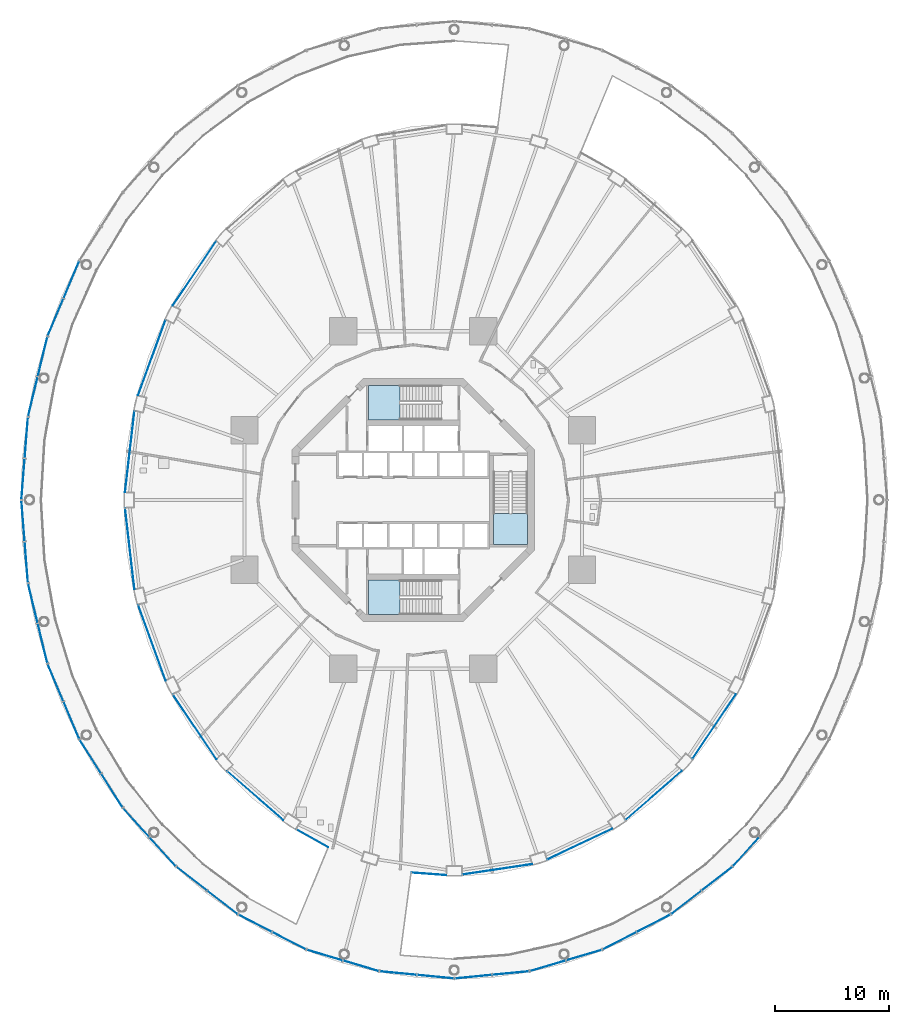
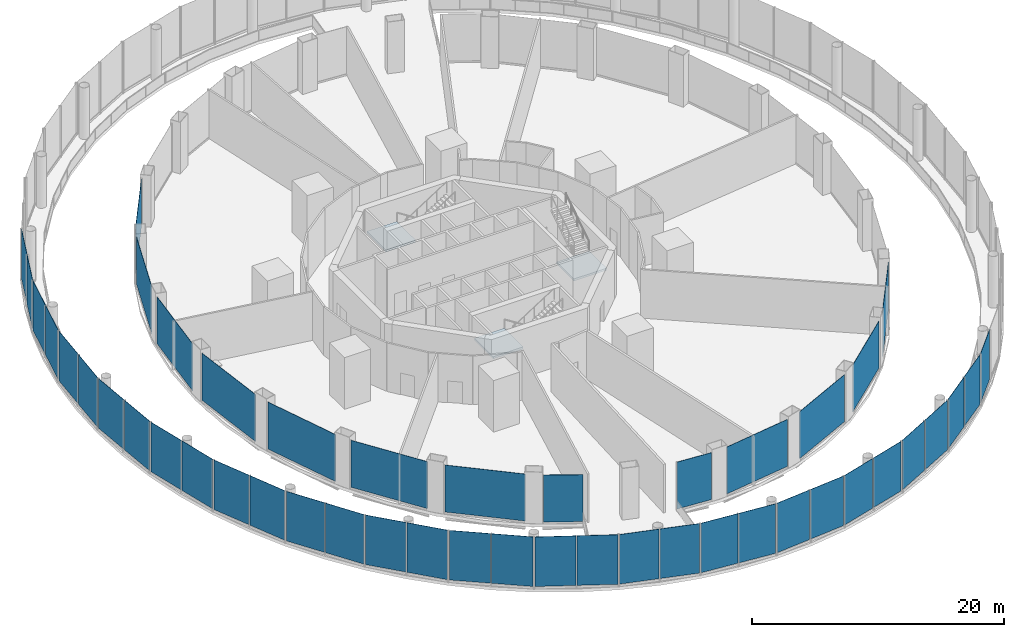
# One storey, part 39 of 47: 46 plates, 3 slabs, 33 elements without a shape of their own.
"""IFC4 building model written with IfcOpenShell, lengths in metres."""

from ifc_helpers import new_model, si_unit, direction, frame, origin, origin_2d, place, context, subcontext, project, spatial, polyline, rectangle, outline, extrude, material, layer, layer_set, type_object, element, aggregate, save


model = new_model("IFC4")

# Units and contexts
model_context = context("Model", 3, precision=1e-05, world=origin(), true_north=direction((0.0, 1.0)))
body_context = subcontext(model_context, "Body", "Model", "MODEL_VIEW")
ifc_project = project(units=[si_unit("LENGTHUNIT", "METRE"), si_unit("AREAUNIT", "SQUARE_METRE"), si_unit("VOLUMEUNIT", "CUBIC_METRE"), si_unit("PLANEANGLEUNIT", "RADIAN"), si_unit("MASSUNIT", "GRAM", prefix="KILO")], contexts=[model_context])

# Site, building, storey
site_placement = place(None, origin())
site = spatial("IfcSite", under=ifc_project, at=site_placement, CompositionType="ELEMENT")
building_placement = place(site_placement, origin())
building = spatial("IfcBuilding", under=site, at=building_placement, Name="Nagisa Residences", CompositionType="ELEMENT")
storey_placement = place(building_placement, frame((0.0, 0.0, 7.0)))
storey = spatial("IfcBuildingStorey", under=building, at=storey_placement, Name="L01", CompositionType="ELEMENT", Elevation=7.0)

# Curtain wall, plates
ifc_material_1 = material(Name="Stainless steel curtain wall system", Category="steel")
ifc_layer_1 = layer(ifc_material_1, 0.159912109375)
ifc_layer_set_1 = layer_set([ifc_layer_1], Name="CW3 CURTAIN WALL")
curtain_wall_type_1 = type_object("IfcCurtainWallType", Name="CW3 CURTAIN WALL", PredefinedType="NOTDEFINED", material=ifc_layer_set_1)
curtain_wall_1_placement = place(storey_placement, origin())
curtain_wall_1 = element("IfcCurtainWall", 1, at=curtain_wall_1_placement, inside=storey, type_object=curtain_wall_type_1, Name="cw:CW3:L01:15", PredefinedType="NOTDEFINED")
ifc_material_2 = material(Name="Low-iron laminated glass", Category="glass")
ifc_layer_2 = layer(ifc_material_2, 0.028076171875)
ifc_layer_set_2 = layer_set([ifc_layer_2], Name="CW3 GLASS PANEL")
plate_type_1 = type_object("IfcPlateType", Name="CW3 GLASS PANEL", PredefinedType="CURTAIN_PANEL", material=ifc_layer_set_2)
plate_1_placement = place(storey_placement, frame((-29.94287109375, 19.291748046875, 0.2001953125), z_axis=(0.0, 0.0, 1.0), x_axis=(-0.388718029417, -0.921356767819, 0.0)))
plate_1 = element("IfcPlate", 2, at=plate_1_placement, type_object=plate_type_1, Name="CW3 panel", PredefinedType="CURTAIN_PANEL", context=body_context, shape_type="SweptSolid", body=[
    extrude(rectangle(XDim=3.480712890625, YDim=0.028076171875, at=origin_2d()), origin(), (0.0, 0.0, 1.0), 4.800048828125),
])
plate_2_placement = place(storey_placement, frame((-31.326904296875, 16.010986328125, 0.2001953125), z_axis=(0.0, 0.0, 1.0), x_axis=(-0.388718029417, -0.921356767819, 0.0)))
plate_2 = element("IfcPlate", 3, at=plate_2_placement, type_object=plate_type_1, Name="CW3 panel", PredefinedType="CURTAIN_PANEL", context=body_context, shape_type="SweptSolid", body=[
    extrude(rectangle(XDim=3.480712890625, YDim=0.028076171875, at=origin_2d()), origin(), (0.0, 0.0, 1.0), 4.800048828125),
])
aggregate(curtain_wall_1, [plate_1, plate_2])

curtain_wall_2_placement = place(storey_placement, origin())
curtain_wall_2 = element("IfcCurtainWall", 4, at=curtain_wall_2_placement, inside=storey, type_object=curtain_wall_type_1, Name="cw:CW3:L01:16", PredefinedType="NOTDEFINED")
plate_3_placement = place(storey_placement, frame((-32.4638671875, 12.55859375, 0.2001953125), z_axis=(0.0, 0.0, 1.0), x_axis=(-0.235605514043, -0.971848775146, 0.0)))
plate_3 = element("IfcPlate", 5, at=plate_3_placement, type_object=plate_type_1, Name="CW3 panel", PredefinedType="CURTAIN_PANEL", context=body_context, shape_type="SweptSolid", body=[
    extrude(rectangle(XDim=3.518310546875, YDim=0.028076171875, at=origin_2d()), origin(), (0.0, 0.0, 1.0), 4.800048828125),
])
plate_4_placement = place(storey_placement, frame((-33.3115234375, 9.061767578125, 0.2001953125), z_axis=(0.0, 0.0, 1.0), x_axis=(-0.235605514043, -0.971848775146, 0.0)))
plate_4 = element("IfcPlate", 6, at=plate_4_placement, type_object=plate_type_1, Name="CW3 panel", PredefinedType="CURTAIN_PANEL", context=body_context, shape_type="SweptSolid", body=[
    extrude(rectangle(XDim=3.518310546875, YDim=0.028076171875, at=origin_2d()), origin(), (0.0, 0.0, 1.0), 4.800048828125),
])
aggregate(curtain_wall_2, [plate_3, plate_4])

curtain_wall_3_placement = place(storey_placement, origin())
curtain_wall_3 = element("IfcCurtainWall", 7, at=curtain_wall_3_placement, inside=storey, type_object=curtain_wall_type_1, Name="cw:CW3:L01:17", PredefinedType="NOTDEFINED")
plate_5_placement = place(storey_placement, frame((-33.888916015625, 5.443603515625, 0.2001953125), z_axis=(0.0, 0.0, 1.0), x_axis=(-0.078909582539, -0.996881777235, 0.0)))
plate_5 = element("IfcPlate", 8, at=plate_5_placement, type_object=plate_type_1, Name="CW3 panel", PredefinedType="CURTAIN_PANEL", context=body_context, shape_type="SweptSolid", body=[
    extrude(rectangle(XDim=3.5380859375, YDim=0.028076171875, at=origin_2d()), origin(), (0.0, 0.0, 1.0), 4.800048828125),
])
plate_6_placement = place(storey_placement, frame((-34.17431640625, 1.8369140625, 0.2001953125), z_axis=(0.0, 0.0, 1.0), x_axis=(-0.078909582539, -0.996881777235, 0.0)))
plate_6 = element("IfcPlate", 9, at=plate_6_placement, type_object=plate_type_1, Name="CW3 panel", PredefinedType="CURTAIN_PANEL", context=body_context, shape_type="SweptSolid", body=[
    extrude(rectangle(XDim=3.5380859375, YDim=0.028076171875, at=origin_2d()), origin(), (0.0, 0.0, 1.0), 4.800048828125),
])
aggregate(curtain_wall_3, [plate_5, plate_6])

curtain_wall_4_placement = place(storey_placement, origin())
curtain_wall_4 = element("IfcCurtainWall", 10, at=curtain_wall_4_placement, inside=storey, type_object=curtain_wall_type_1, Name="cw:CW3:L01:18", PredefinedType="NOTDEFINED")
plate_7_placement = place(storey_placement, frame((-34.17431640625, -1.8369140625, 0.2001953125), z_axis=(0.0, 0.0, 1.0), x_axis=(0.078909582539, -0.996881777235, 0.0)))
plate_7 = element("IfcPlate", 11, at=plate_7_placement, type_object=plate_type_1, Name="CW3 panel", PredefinedType="CURTAIN_PANEL", context=body_context, shape_type="SweptSolid", body=[
    extrude(rectangle(XDim=3.5380859375, YDim=0.028076171875, at=origin_2d()), origin(), (0.0, 0.0, 1.0), 4.800048828125),
])
plate_8_placement = place(storey_placement, frame((-33.888916015625, -5.443603515625, 0.2001953125), z_axis=(0.0, 0.0, 1.0), x_axis=(0.078909582539, -0.996881777235, 0.0)))
plate_8 = element("IfcPlate", 12, at=plate_8_placement, type_object=plate_type_1, Name="CW3 panel", PredefinedType="CURTAIN_PANEL", context=body_context, shape_type="SweptSolid", body=[
    extrude(rectangle(XDim=3.5380859375, YDim=0.028076171875, at=origin_2d()), origin(), (0.0, 0.0, 1.0), 4.800048828125),
])
aggregate(curtain_wall_4, [plate_7, plate_8])

curtain_wall_5_placement = place(storey_placement, origin())
curtain_wall_5 = element("IfcCurtainWall", 13, at=curtain_wall_5_placement, inside=storey, type_object=curtain_wall_type_1, Name="cw:CW3:L01:19", PredefinedType="NOTDEFINED")
plate_9_placement = place(storey_placement, frame((-33.3115234375, -9.061767578125, 0.2001953125), z_axis=(0.0, 0.0, 1.0), x_axis=(0.235605514043, -0.971848775146, 0.0)))
plate_9 = element("IfcPlate", 14, at=plate_9_placement, type_object=plate_type_1, Name="CW3 panel", PredefinedType="CURTAIN_PANEL", context=body_context, shape_type="SweptSolid", body=[
    extrude(rectangle(XDim=3.518310546875, YDim=0.028076171875, at=origin_2d()), origin(), (0.0, 0.0, 1.0), 4.800048828125),
])
plate_10_placement = place(storey_placement, frame((-32.4638671875, -12.55859375, 0.2001953125), z_axis=(0.0, 0.0, 1.0), x_axis=(0.235605514043, -0.971848775146, 0.0)))
plate_10 = element("IfcPlate", 15, at=plate_10_placement, type_object=plate_type_1, Name="CW3 panel", PredefinedType="CURTAIN_PANEL", context=body_context, shape_type="SweptSolid", body=[
    extrude(rectangle(XDim=3.518310546875, YDim=0.028076171875, at=origin_2d()), origin(), (0.0, 0.0, 1.0), 4.800048828125),
])
aggregate(curtain_wall_5, [plate_9, plate_10])

curtain_wall_6_placement = place(storey_placement, origin())
curtain_wall_6 = element("IfcCurtainWall", 16, at=curtain_wall_6_placement, inside=storey, type_object=curtain_wall_type_1, Name="cw:CW3:L01:20", PredefinedType="NOTDEFINED")
plate_11_placement = place(storey_placement, frame((-31.326904296875, -16.010986328125, 0.2001953125), z_axis=(0.0, 0.0, 1.0), x_axis=(0.388718029417, -0.921356767819, 0.0)))
plate_11 = element("IfcPlate", 17, at=plate_11_placement, type_object=plate_type_1, Name="CW3 panel", PredefinedType="CURTAIN_PANEL", context=body_context, shape_type="SweptSolid", body=[
    extrude(rectangle(XDim=3.480712890625, YDim=0.028076171875, at=origin_2d()), origin(), (0.0, 0.0, 1.0), 4.800048828125),
])
plate_12_placement = place(storey_placement, frame((-29.94287109375, -19.291748046875, 0.2001953125), z_axis=(0.0, 0.0, 1.0), x_axis=(0.388718029417, -0.921356767819, 0.0)))
plate_12 = element("IfcPlate", 18, at=plate_12_placement, type_object=plate_type_1, Name="CW3 panel", PredefinedType="CURTAIN_PANEL", context=body_context, shape_type="SweptSolid", body=[
    extrude(rectangle(XDim=3.480712890625, YDim=0.028076171875, at=origin_2d()), origin(), (0.0, 0.0, 1.0), 4.800048828125),
])
aggregate(curtain_wall_6, [plate_11, plate_12])

curtain_wall_7_placement = place(storey_placement, origin())
curtain_wall_7 = element("IfcCurtainWall", 19, at=curtain_wall_7_placement, inside=storey, type_object=curtain_wall_type_1, Name="cw:CW3:L01:21", PredefinedType="NOTDEFINED")
plate_13_placement = place(storey_placement, frame((-28.28076171875, -22.473388671875, 0.2001953125), z_axis=(0.0, 0.0, 1.0), x_axis=(0.535165286856, -0.844747368001, 0.0)))
plate_13 = element("IfcPlate", 20, at=plate_13_placement, type_object=plate_type_1, Name="CW3 panel", PredefinedType="CURTAIN_PANEL", context=body_context, shape_type="SweptSolid", body=[
    extrude(rectangle(XDim=3.4296875, YDim=0.028076171875, at=origin_2d()), origin(), (0.0, 0.0, 1.0), 4.800048828125),
])
plate_14_placement = place(storey_placement, frame((-26.402587890625, -25.43798828125, 0.2001953125), z_axis=(0.0, 0.0, 1.0), x_axis=(0.535165286856, -0.844747368001, 0.0)))
plate_14 = element("IfcPlate", 21, at=plate_14_placement, type_object=plate_type_1, Name="CW3 panel", PredefinedType="CURTAIN_PANEL", context=body_context, shape_type="SweptSolid", body=[
    extrude(rectangle(XDim=3.4296875, YDim=0.028076171875, at=origin_2d()), origin(), (0.0, 0.0, 1.0), 4.800048828125),
])
aggregate(curtain_wall_7, [plate_13, plate_14])

curtain_wall_8_placement = place(storey_placement, origin())
curtain_wall_8 = element("IfcCurtainWall", 22, at=curtain_wall_8_placement, inside=storey, type_object=curtain_wall_type_1, Name="cw:CW3:L01:22", PredefinedType="NOTDEFINED")
plate_15_placement = place(storey_placement, frame((-24.26611328125, -28.25244140625, 0.2001953125), z_axis=(0.0, 0.0, 1.0), x_axis=(0.670913323971, -0.741535779122, 0.0)))
plate_15 = element("IfcPlate", 23, at=plate_15_placement, type_object=plate_type_1, Name="CW3 panel", PredefinedType="CURTAIN_PANEL", context=body_context, shape_type="SweptSolid", body=[
    extrude(rectangle(XDim=3.37060546875, YDim=0.028076171875, at=origin_2d()), origin(), (0.0, 0.0, 1.0), 4.800048828125),
])
plate_16_placement = place(storey_placement, frame((-21.950927734375, -30.811279296875, 0.2001953125), z_axis=(0.0, 0.0, 1.0), x_axis=(0.670913323971, -0.741535779122, 0.0)))
plate_16 = element("IfcPlate", 24, at=plate_16_placement, type_object=plate_type_1, Name="CW3 panel", PredefinedType="CURTAIN_PANEL", context=body_context, shape_type="SweptSolid", body=[
    extrude(rectangle(XDim=3.37060546875, YDim=0.028076171875, at=origin_2d()), origin(), (0.0, 0.0, 1.0), 4.800048828125),
])
aggregate(curtain_wall_8, [plate_15, plate_16])

curtain_wall_9_placement = place(storey_placement, origin())
curtain_wall_9 = element("IfcCurtainWall", 25, at=curtain_wall_9_placement, inside=storey, type_object=curtain_wall_type_1, Name="cw:CW3:L01:23", PredefinedType="NOTDEFINED")
plate_17_placement = place(storey_placement, frame((-19.40478515625, -33.172607421875, 0.2001953125), z_axis=(0.0, 0.0, 1.0), x_axis=(0.790830864353, -0.612034757172, 0.0)))
plate_17 = element("IfcPlate", 26, at=plate_17_placement, type_object=plate_type_1, Name="CW3 panel", PredefinedType="CURTAIN_PANEL", context=body_context, shape_type="SweptSolid", body=[
    extrude(rectangle(XDim=3.310546875, YDim=0.028076171875, at=origin_2d()), origin(), (0.0, 0.0, 1.0), 4.800048828125),
])
plate_18_placement = place(storey_placement, frame((-16.723388671875, -35.247802734375, 0.2001953125), z_axis=(0.0, 0.0, 1.0), x_axis=(0.790830864353, -0.612034757172, 0.0)))
plate_18 = element("IfcPlate", 27, at=plate_18_placement, type_object=plate_type_1, Name="CW3 panel", PredefinedType="CURTAIN_PANEL", context=body_context, shape_type="SweptSolid", body=[
    extrude(rectangle(XDim=3.310546875, YDim=0.028076171875, at=origin_2d()), origin(), (0.0, 0.0, 1.0), 4.800048828125),
])
aggregate(curtain_wall_9, [plate_17, plate_18])

curtain_wall_10_placement = place(storey_placement, origin())
curtain_wall_10 = element("IfcCurtainWall", 28, at=curtain_wall_10_placement, inside=storey, type_object=curtain_wall_type_1, Name="cw:CW3:L01:24", PredefinedType="NOTDEFINED")
plate_19_placement = place(storey_placement, frame((-13.8447265625, -37.084716796875, 0.2001953125), z_axis=(0.0, 0.0, 1.0), x_axis=(0.888887270285, -0.45812598783, 0.0)))
plate_19 = element("IfcPlate", 29, at=plate_19_placement, type_object=plate_type_1, Name="CW3 panel", PredefinedType="CURTAIN_PANEL", context=body_context, shape_type="SweptSolid", body=[
    extrude(rectangle(XDim=3.2568359375, YDim=0.028076171875, at=origin_2d()), origin(), (0.0, 0.0, 1.0), 4.800048828125),
])
plate_20_placement = place(storey_placement, frame((-10.878662109375, -38.61328125, 0.2001953125), z_axis=(0.0, 0.0, 1.0), x_axis=(0.888887270285, -0.45812598783, 0.0)))
plate_20 = element("IfcPlate", 30, at=plate_20_placement, type_object=plate_type_1, Name="CW3 panel", PredefinedType="CURTAIN_PANEL", context=body_context, shape_type="SweptSolid", body=[
    extrude(rectangle(XDim=3.2568359375, YDim=0.028076171875, at=origin_2d()), origin(), (0.0, 0.0, 1.0), 4.800048828125),
])
aggregate(curtain_wall_10, [plate_19, plate_20])

curtain_wall_11_placement = place(storey_placement, origin())
curtain_wall_11 = element("IfcCurtainWall", 31, at=curtain_wall_11_placement, inside=storey, type_object=curtain_wall_type_1, Name="cw:CW3:L01:25", PredefinedType="NOTDEFINED")
plate_21_placement = place(storey_placement, frame((-7.75537109375, -39.869873046875, 0.2001953125), z_axis=(0.0, 0.0, 1.0), x_axis=(0.958835171393, -0.283963226669, 0.0)))
plate_21 = element("IfcPlate", 32, at=plate_21_placement, type_object=plate_type_1, Name="CW3 panel", PredefinedType="CURTAIN_PANEL", context=body_context, shape_type="SweptSolid", body=[
    extrude(rectangle(XDim=3.21630859375, YDim=0.028076171875, at=origin_2d()), origin(), (0.0, 0.0, 1.0), 4.800048828125),
])
plate_22_placement = place(storey_placement, frame((-4.5947265625, -40.805908203125, 0.2001953125), z_axis=(0.0, 0.0, 1.0), x_axis=(0.958835171393, -0.283963226669, 0.0)))
plate_22 = element("IfcPlate", 33, at=plate_22_placement, type_object=plate_type_1, Name="CW3 panel", PredefinedType="CURTAIN_PANEL", context=body_context, shape_type="SweptSolid", body=[
    extrude(rectangle(XDim=3.21630859375, YDim=0.028076171875, at=origin_2d()), origin(), (0.0, 0.0, 1.0), 4.800048828125),
])
aggregate(curtain_wall_11, [plate_21, plate_22])

curtain_wall_12_placement = place(storey_placement, origin())
curtain_wall_12 = element("IfcCurtainWall", 34, at=curtain_wall_12_placement, inside=storey, type_object=curtain_wall_type_1, Name="cw:CW3:L01:26", PredefinedType="NOTDEFINED")
plate_23_placement = place(storey_placement, frame((-1.3212890625, -41.44384765625, 0.2001953125), z_axis=(0.0, 0.0, 1.0), x_axis=(0.995357282289, -0.096249055035, 0.0)))
plate_23 = element("IfcPlate", 35, at=plate_23_placement, type_object=plate_type_1, Name="CW3 panel", PredefinedType="CURTAIN_PANEL", context=body_context, shape_type="SweptSolid", body=[
    extrude(rectangle(XDim=3.19482421875, YDim=0.028076171875, at=origin_2d()), origin(), (0.0, 0.0, 1.0), 4.800048828125),
])
plate_24_placement = place(storey_placement, frame((1.938232421875, -41.759033203125, 0.2001953125), z_axis=(0.0, 0.0, 1.0), x_axis=(0.995357282289, -0.096249055035, 0.0)))
plate_24 = element("IfcPlate", 36, at=plate_24_placement, type_object=plate_type_1, Name="CW3 panel", PredefinedType="CURTAIN_PANEL", context=body_context, shape_type="SweptSolid", body=[
    extrude(rectangle(XDim=3.19482421875, YDim=0.028076171875, at=origin_2d()), origin(), (0.0, 0.0, 1.0), 4.800048828125),
])
aggregate(curtain_wall_12, [plate_23, plate_24])

curtain_wall_13_placement = place(storey_placement, origin())
curtain_wall_13 = element("IfcCurtainWall", 37, at=curtain_wall_13_placement, inside=storey, type_object=curtain_wall_type_1, Name="cw:CW3:L01:27", PredefinedType="NOTDEFINED")
plate_25_placement = place(storey_placement, frame((5.261962890625, -41.759033203125, 0.2001953125), z_axis=(0.0, 0.0, 1.0), x_axis=(0.995357282289, 0.096249055035, 0.0)))
plate_25 = element("IfcPlate", 38, at=plate_25_placement, type_object=plate_type_1, Name="CW3 panel", PredefinedType="CURTAIN_PANEL", context=body_context, shape_type="SweptSolid", body=[
    extrude(rectangle(XDim=3.19482421875, YDim=0.028076171875, at=origin_2d()), origin(), (0.0, 0.0, 1.0), 4.800048828125),
])
plate_26_placement = place(storey_placement, frame((8.521484375, -41.44384765625, 0.2001953125), z_axis=(0.0, 0.0, 1.0), x_axis=(0.995357282289, 0.096249055035, 0.0)))
plate_26 = element("IfcPlate", 39, at=plate_26_placement, type_object=plate_type_1, Name="CW3 panel", PredefinedType="CURTAIN_PANEL", context=body_context, shape_type="SweptSolid", body=[
    extrude(rectangle(XDim=3.19482421875, YDim=0.028076171875, at=origin_2d()), origin(), (0.0, 0.0, 1.0), 4.800048828125),
])
aggregate(curtain_wall_13, [plate_25, plate_26])

curtain_wall_14_placement = place(storey_placement, origin())
curtain_wall_14 = element("IfcCurtainWall", 40, at=curtain_wall_14_placement, inside=storey, type_object=curtain_wall_type_1, Name="cw:CW3:L01:28", PredefinedType="NOTDEFINED")
plate_27_placement = place(storey_placement, frame((11.794677734375, -40.805908203125, 0.2001953125), z_axis=(0.0, 0.0, 1.0), x_axis=(0.958835171393, 0.283963226669, 0.0)))
plate_27 = element("IfcPlate", 41, at=plate_27_placement, type_object=plate_type_1, Name="CW3 panel", PredefinedType="CURTAIN_PANEL", context=body_context, shape_type="SweptSolid", body=[
    extrude(rectangle(XDim=3.21630859375, YDim=0.028076171875, at=origin_2d()), origin(), (0.0, 0.0, 1.0), 4.800048828125),
])
plate_28_placement = place(storey_placement, frame((14.955322265625, -39.869873046875, 0.2001953125), z_axis=(0.0, 0.0, 1.0), x_axis=(0.958835171393, 0.283963226669, 0.0)))
plate_28 = element("IfcPlate", 42, at=plate_28_placement, type_object=plate_type_1, Name="CW3 panel", PredefinedType="CURTAIN_PANEL", context=body_context, shape_type="SweptSolid", body=[
    extrude(rectangle(XDim=3.21630859375, YDim=0.028076171875, at=origin_2d()), origin(), (0.0, 0.0, 1.0), 4.800048828125),
])
aggregate(curtain_wall_14, [plate_27, plate_28])

curtain_wall_15_placement = place(storey_placement, origin())
curtain_wall_15 = element("IfcCurtainWall", 43, at=curtain_wall_15_placement, inside=storey, type_object=curtain_wall_type_1, Name="cw:CW3:L01:29", PredefinedType="NOTDEFINED")
plate_29_placement = place(storey_placement, frame((18.07861328125, -38.61328125, 0.2001953125), z_axis=(0.0, 0.0, 1.0), x_axis=(0.888887270285, 0.45812598783, 0.0)))
plate_29 = element("IfcPlate", 44, at=plate_29_placement, type_object=plate_type_1, Name="CW3 panel", PredefinedType="CURTAIN_PANEL", context=body_context, shape_type="SweptSolid", body=[
    extrude(rectangle(XDim=3.2568359375, YDim=0.028076171875, at=origin_2d()), origin(), (0.0, 0.0, 1.0), 4.800048828125),
])
plate_30_placement = place(storey_placement, frame((21.044677734375, -37.084716796875, 0.2001953125), z_axis=(0.0, 0.0, 1.0), x_axis=(0.888887270285, 0.45812598783, 0.0)))
plate_30 = element("IfcPlate", 45, at=plate_30_placement, type_object=plate_type_1, Name="CW3 panel", PredefinedType="CURTAIN_PANEL", context=body_context, shape_type="SweptSolid", body=[
    extrude(rectangle(XDim=3.2568359375, YDim=0.028076171875, at=origin_2d()), origin(), (0.0, 0.0, 1.0), 4.800048828125),
])
aggregate(curtain_wall_15, [plate_29, plate_30])

curtain_wall_16_placement = place(storey_placement, origin())
curtain_wall_16 = element("IfcCurtainWall", 46, at=curtain_wall_16_placement, inside=storey, type_object=curtain_wall_type_1, Name="cw:CW3:L01:30", PredefinedType="NOTDEFINED")
plate_31_placement = place(storey_placement, frame((23.92333984375, -35.247802734375, 0.2001953125), z_axis=(0.0, 0.0, 1.0), x_axis=(0.790830864353, 0.612034757172, 0.0)))
plate_31 = element("IfcPlate", 47, at=plate_31_placement, type_object=plate_type_1, Name="CW3 panel", PredefinedType="CURTAIN_PANEL", context=body_context, shape_type="SweptSolid", body=[
    extrude(rectangle(XDim=3.310546875, YDim=0.028076171875, at=origin_2d()), origin(), (0.0, 0.0, 1.0), 4.800048828125),
])
plate_32_placement = place(storey_placement, frame((26.604736328125, -33.172607421875, 0.2001953125), z_axis=(0.0, 0.0, 1.0), x_axis=(0.790830864353, 0.612034757172, 0.0)))
plate_32 = element("IfcPlate", 48, at=plate_32_placement, type_object=plate_type_1, Name="CW3 panel", PredefinedType="CURTAIN_PANEL", context=body_context, shape_type="SweptSolid", body=[
    extrude(rectangle(XDim=3.310546875, YDim=0.028076171875, at=origin_2d()), origin(), (0.0, 0.0, 1.0), 4.800048828125),
])
aggregate(curtain_wall_16, [plate_31, plate_32])

# Curtain wall, plate
curtain_wall_17_placement = place(storey_placement, origin())
curtain_wall_17 = element("IfcCurtainWall", 49, at=curtain_wall_17_placement, inside=storey, type_object=curtain_wall_type_1, Name="cw:CW3:L01:31", PredefinedType="NOTDEFINED")
plate_33_placement = place(storey_placement, frame((29.15087890625, -30.811279296875, 0.2001953125), z_axis=(0.0, 0.0, 1.0), x_axis=(0.670913323971, 0.741535779122, 0.0)))
plate_33 = element("IfcPlate", 50, at=plate_33_placement, type_object=plate_type_1, Name="CW3 panel", PredefinedType="CURTAIN_PANEL", context=body_context, shape_type="SweptSolid", body=[
    extrude(rectangle(XDim=3.37060546875, YDim=0.028076171875, at=origin_2d()), origin(), (0.0, 0.0, 1.0), 4.800048828125),
])
aggregate(curtain_wall_17, [plate_33])

ifc_material_3 = material(Name="Stainless steel curtain wall system", Category="steel")
ifc_layer_3 = layer(ifc_material_3, 0.159912109375)
ifc_layer_set_3 = layer_set([ifc_layer_3], Name="CW6 CURTAIN WALL")
curtain_wall_type_2 = type_object("IfcCurtainWallType", Name="CW6 CURTAIN WALL", PredefinedType="NOTDEFINED", material=ifc_layer_set_3)
curtain_wall_18_placement = place(storey_placement, origin())
curtain_wall_18 = element("IfcCurtainWall", 51, at=curtain_wall_18_placement, inside=storey, type_object=curtain_wall_type_2, Name="cw:CW6:L01:18", PredefinedType="NOTDEFINED")
ifc_material_4 = material(Name="Low-iron laminated glass", Category="glass")
ifc_layer_4 = layer(ifc_material_4, 0.028076171875)
ifc_layer_set_4 = layer_set([ifc_layer_4], Name="CW6 GLASS PANEL")
plate_type_2 = type_object("IfcPlateType", Name="CW6 GLASS PANEL", PredefinedType="CURTAIN_PANEL", material=ifc_layer_set_4)
plate_34_placement = place(storey_placement, frame((-19.160888671875, 19.84765625, 0.14990234375), z_axis=(0.0, 0.0, 1.0), x_axis=(-0.559084136544, -0.829110926393, 0.0)))
plate_34 = element("IfcPlate", 52, at=plate_34_placement, type_object=plate_type_2, Name="CW6 panel", PredefinedType="CURTAIN_PANEL", context=body_context, shape_type="SweptSolid", body=[
    extrude(rectangle(XDim=6.783203125, YDim=0.028076171875, at=origin_2d()), origin(), (0.0, 0.0, 1.0), 4.550048828125),
])
aggregate(curtain_wall_18, [plate_34])

curtain_wall_19_placement = place(storey_placement, origin())
curtain_wall_19 = element("IfcCurtainWall", 53, at=curtain_wall_19_placement, inside=storey, type_object=curtain_wall_type_2, Name="cw:CW6:L01:20", PredefinedType="NOTDEFINED")
plate_35_placement = place(storey_placement, frame((-22.8984375, 12.46484375, 0.14990234375), z_axis=(0.0, 0.0, 1.0), x_axis=(-0.342049702176, -0.939681861718, 0.0)))
plate_35 = element("IfcPlate", 54, at=plate_35_placement, type_object=plate_type_2, Name="CW6 panel", PredefinedType="CURTAIN_PANEL", context=body_context, shape_type="SweptSolid", body=[
    extrude(rectangle(XDim=7.009765625, YDim=0.028076171875, at=origin_2d()), origin(), (0.0, 0.0, 1.0), 4.550048828125),
])
aggregate(curtain_wall_19, [plate_35])

curtain_wall_20_placement = place(storey_placement, origin())
curtain_wall_20 = element("IfcCurtainWall", 55, at=curtain_wall_20_placement, inside=storey, type_object=curtain_wall_type_2, Name="cw:CW6:L01:22", PredefinedType="NOTDEFINED")
plate_36_placement = place(storey_placement, frame((-24.829833984375, 4.2314453125, 0.14990234375), z_axis=(0.0, 0.0, 1.0), x_axis=(-0.114928006139, -0.993373823596, 0.0)))
plate_36 = element("IfcPlate", 56, at=plate_36_placement, type_object=plate_type_2, Name="CW6 panel", PredefinedType="CURTAIN_PANEL", context=body_context, shape_type="SweptSolid", body=[
    extrude(rectangle(XDim=7.137939453125, YDim=0.028076171875, at=origin_2d()), origin(), (0.0, 0.0, 1.0), 4.550048828125),
])
aggregate(curtain_wall_20, [plate_36])

curtain_wall_21_placement = place(storey_placement, origin())
curtain_wall_21 = element("IfcCurtainWall", 57, at=curtain_wall_21_placement, inside=storey, type_object=curtain_wall_type_2, Name="cw:CW6:L01:24", PredefinedType="NOTDEFINED")
plate_37_placement = place(storey_placement, frame((-24.822998046875, -4.291015625, 0.14990234375), z_axis=(0.0, 0.0, 1.0), x_axis=(0.114928006139, -0.993373823596, 0.0)))
plate_37 = element("IfcPlate", 58, at=plate_37_placement, type_object=plate_type_2, Name="CW6 panel", PredefinedType="CURTAIN_PANEL", context=body_context, shape_type="SweptSolid", body=[
    extrude(rectangle(XDim=7.137939453125, YDim=0.028076171875, at=origin_2d()), origin(), (0.0, 0.0, 1.0), 4.550048828125),
])
aggregate(curtain_wall_21, [plate_37])

curtain_wall_22_placement = place(storey_placement, origin())
curtain_wall_22 = element("IfcCurtainWall", 59, at=curtain_wall_22_placement, inside=storey, type_object=curtain_wall_type_2, Name="cw:CW6:L01:26", PredefinedType="NOTDEFINED")
plate_38_placement = place(storey_placement, frame((-22.8779296875, -12.521240234375, 0.14990234375), z_axis=(0.0, 0.0, 1.0), x_axis=(0.342049702176, -0.939681861718, 0.0)))
plate_38 = element("IfcPlate", 60, at=plate_38_placement, type_object=plate_type_2, Name="CW6 panel", PredefinedType="CURTAIN_PANEL", context=body_context, shape_type="SweptSolid", body=[
    extrude(rectangle(XDim=7.009765625, YDim=0.028076171875, at=origin_2d()), origin(), (0.0, 0.0, 1.0), 4.550048828125),
])
aggregate(curtain_wall_22, [plate_38])

curtain_wall_23_placement = place(storey_placement, origin())
curtain_wall_23 = element("IfcCurtainWall", 61, at=curtain_wall_23_placement, inside=storey, type_object=curtain_wall_type_2, Name="cw:CW6:L01:28", PredefinedType="NOTDEFINED")
plate_39_placement = place(storey_placement, frame((-19.127197265625, -19.8974609375, 0.14990234375), z_axis=(0.0, 0.0, 1.0), x_axis=(0.559084136544, -0.829110926393, 0.0)))
plate_39 = element("IfcPlate", 62, at=plate_39_placement, type_object=plate_type_2, Name="CW6 panel", PredefinedType="CURTAIN_PANEL", context=body_context, shape_type="SweptSolid", body=[
    extrude(rectangle(XDim=6.783203125, YDim=0.028076171875, at=origin_2d()), origin(), (0.0, 0.0, 1.0), 4.550048828125),
])
aggregate(curtain_wall_23, [plate_39])

curtain_wall_24_placement = place(storey_placement, origin())
curtain_wall_24 = element("IfcCurtainWall", 63, at=curtain_wall_24_placement, inside=storey, type_object=curtain_wall_type_2, Name="cw:CW6:L01:30", PredefinedType="NOTDEFINED")
plate_40_placement = place(storey_placement, frame((-13.827880859375, -25.916259765625, 0.14990234375), z_axis=(0.0, 0.0, 1.0), x_axis=(0.753261216572, -0.657721475708, 0.0)))
plate_40 = element("IfcPlate", 64, at=plate_40_placement, type_object=plate_type_2, Name="CW6 panel", PredefinedType="CURTAIN_PANEL", context=body_context, shape_type="SweptSolid", body=[
    extrude(rectangle(XDim=6.513427734375, YDim=0.028076171875, at=origin_2d()), origin(), (0.0, 0.0, 1.0), 4.550048828125),
])
aggregate(curtain_wall_24, [plate_40])

curtain_wall_25_placement = place(storey_placement, origin())
curtain_wall_25 = element("IfcCurtainWall", 65, at=curtain_wall_25_placement, inside=storey, type_object=curtain_wall_type_2, Name="cw:CW6:L01:32", PredefinedType="NOTDEFINED")
plate_41_placement = place(storey_placement, frame((-8.828369140625, -29.649658203125, 0.14990234375), z_axis=(0.0, 0.0, 1.0), x_axis=(0.872072377523, -0.489376918501, 0.0)))
plate_41 = element("IfcPlate", 66, at=plate_41_placement, type_object=plate_type_2, Name="CW6 panel", PredefinedType="CURTAIN_PANEL", context=body_context, shape_type="SweptSolid", body=[
    extrude(rectangle(XDim=3.141357421875, YDim=0.028076171875, at=origin_2d()), origin(), (0.0, 0.0, 1.0), 4.550048828125),
])
aggregate(curtain_wall_25, [plate_41])

curtain_wall_26_placement = place(storey_placement, origin())
curtain_wall_26 = element("IfcCurtainWall", 67, at=curtain_wall_26_placement, inside=storey, type_object=curtain_wall_type_2, Name="cw:CW6:L01:35", PredefinedType="NOTDEFINED")
plate_42_placement = place(storey_placement, frame((1.394287109375, -32.75537109375, 0.14990234375), z_axis=(0.0, 0.0, 1.0), x_axis=(0.997230168512, -0.074377355493, 0.0)))
plate_42 = element("IfcPlate", 68, at=plate_42_placement, type_object=plate_type_2, Name="CW6 panel", PredefinedType="CURTAIN_PANEL", context=body_context, shape_type="SweptSolid", body=[
    extrude(rectangle(XDim=3.035888671875, YDim=0.028076171875, at=origin_2d()), origin(), (0.0, 0.0, 1.0), 4.550048828125),
])
aggregate(curtain_wall_26, [plate_42])

curtain_wall_27_placement = place(storey_placement, origin())
curtain_wall_27 = element("IfcCurtainWall", 69, at=curtain_wall_27_placement, inside=storey, type_object=curtain_wall_type_2, Name="cw:CW6:L01:36", PredefinedType="NOTDEFINED")
plate_43_placement = place(storey_placement, frame((7.37060546875, -32.354248046875, 0.14990234375), z_axis=(0.0, 0.0, 1.0), x_axis=(0.988963689083, 0.148158096894, 0.0)))
plate_43 = element("IfcPlate", 70, at=plate_43_placement, type_object=plate_type_2, Name="CW6 panel", PredefinedType="CURTAIN_PANEL", context=body_context, shape_type="SweptSolid", body=[
    extrude(rectangle(XDim=6.12939453125, YDim=0.028076171875, at=origin_2d()), origin(), (0.0, 0.0, 1.0), 4.550048828125),
])
aggregate(curtain_wall_27, [plate_43])

curtain_wall_28_placement = place(storey_placement, origin())
curtain_wall_28 = element("IfcCurtainWall", 71, at=curtain_wall_28_placement, inside=storey, type_object=curtain_wall_type_2, Name="cw:CW6:L01:38", PredefinedType="NOTDEFINED")
plate_44_placement = place(storey_placement, frame((14.595947265625, -30.14208984375, 0.14990234375), z_axis=(0.0, 0.0, 1.0), x_axis=(0.904554286432, 0.426358467603, 0.0)))
plate_44 = element("IfcPlate", 72, at=plate_44_placement, type_object=plate_type_2, Name="CW6 panel", PredefinedType="CURTAIN_PANEL", context=body_context, shape_type="SweptSolid", body=[
    extrude(rectangle(XDim=6.272216796875, YDim=0.028076171875, at=origin_2d()), origin(), (0.0, 0.0, 1.0), 4.550048828125),
])
aggregate(curtain_wall_28, [plate_44])

curtain_wall_29_placement = place(storey_placement, origin())
curtain_wall_29 = element("IfcCurtainWall", 73, at=curtain_wall_29_placement, inside=storey, type_object=curtain_wall_type_2, Name="cw:CW6:L01:40", PredefinedType="NOTDEFINED")
plate_45_placement = place(storey_placement, frame((21.072998046875, -25.876708984375, 0.14990234375), z_axis=(0.0, 0.0, 1.0), x_axis=(0.753261216572, 0.657721475708, 0.0)))
plate_45 = element("IfcPlate", 74, at=plate_45_placement, type_object=plate_type_2, Name="CW6 panel", PredefinedType="CURTAIN_PANEL", context=body_context, shape_type="SweptSolid", body=[
    extrude(rectangle(XDim=6.513427734375, YDim=0.028076171875, at=origin_2d()), origin(), (0.0, 0.0, 1.0), 4.550048828125),
])
aggregate(curtain_wall_29, [plate_45])

curtain_wall_30_placement = place(storey_placement, origin())
curtain_wall_30 = element("IfcCurtainWall", 75, at=curtain_wall_30_placement, inside=storey, type_object=curtain_wall_type_2, Name="cw:CW6:L01:42", PredefinedType="NOTDEFINED")
plate_46_placement = place(storey_placement, frame((26.36083984375, -19.84765625, 0.14990234375), z_axis=(0.0, 0.0, 1.0), x_axis=(0.559084136544, 0.829110926393, 0.0)))
plate_46 = element("IfcPlate", 76, at=plate_46_placement, type_object=plate_type_2, Name="CW6 panel", PredefinedType="CURTAIN_PANEL", context=body_context, shape_type="SweptSolid", body=[
    extrude(rectangle(XDim=6.783203125, YDim=0.028076171875, at=origin_2d()), origin(), (0.0, 0.0, 1.0), 4.550048828125),
])
aggregate(curtain_wall_30, [plate_46])

# Stair, slab
ifc_material_5 = material(Name="Concrete C60", Category="concrete")
stair_type = type_object("IfcStairType", Name="Exit stair", PredefinedType="HALF_TURN_STAIR", material=ifc_material_5)
stair_1_placement = place(storey_placement, origin())
stair_1 = element("IfcStair", 77, at=stair_1_placement, inside=storey, type_object=stair_type, Name="L01 Exit stair E", PredefinedType="HALF_TURN_STAIR")
ifc_material_6 = material(Name="Concrete C60", Category="concrete")
ifc_layer_5 = layer(ifc_material_6, 0.199951171875)
ifc_layer_set_5 = layer_set([ifc_layer_5], Name="Stair landing")
slab_type = type_object("IfcSlabType", Name="Stair landing", PredefinedType="LANDING", material=ifc_layer_set_5)
slab_1_placement = place(storey_placement, frame((0.0, 0.0, 2.300048828125)))
slab_1 = element("IfcSlab", 78, at=slab_1_placement, type_object=slab_type, Name="ST-E landing 1", PredefinedType="LANDING", context=body_context, shape_type="SweptSolid", body=[
    extrude(outline(polyline([(7.024658203125, -1.1650390625), (7.024658203125, -3.89990234375), (10.024658203125, -3.89990234375), (10.024658203125, -1.1650390625), (7.024658203125, -1.1650390625)])), origin(), (0.0, 0.0, 1.0), 0.199951171875),
])
aggregate(stair_1, [slab_1])

stair_2_placement = place(storey_placement, origin())
stair_2 = element("IfcStair", 79, at=stair_2_placement, inside=storey, type_object=stair_type, Name="L01 Exit stair N", PredefinedType="HALF_TURN_STAIR")
slab_2_placement = place(storey_placement, frame((0.0, 0.0, 2.300048828125)))
slab_2 = element("IfcSlab", 80, at=slab_2_placement, type_object=slab_type, Name="ST-N landing 1", PredefinedType="LANDING", context=body_context, shape_type="SweptSolid", body=[
    extrude(outline(polyline([(-1.1650390625, 10.024658203125), (-3.89990234375, 10.024658203125), (-3.89990234375, 7.024658203125), (-1.1650390625, 7.024658203125), (-1.1650390625, 10.024658203125)])), origin(), (0.0, 0.0, 1.0), 0.199951171875),
])
aggregate(stair_2, [slab_2])

stair_3_placement = place(storey_placement, origin())
stair_3 = element("IfcStair", 81, at=stair_3_placement, inside=storey, type_object=stair_type, Name="L01 Exit stair S", PredefinedType="HALF_TURN_STAIR")
slab_3_placement = place(storey_placement, frame((0.0, 0.0, 2.300048828125)))
slab_3 = element("IfcSlab", 82, at=slab_3_placement, type_object=slab_type, Name="ST-S landing 1", PredefinedType="LANDING", context=body_context, shape_type="SweptSolid", body=[
    extrude(outline(polyline([(-1.1650390625, -7.024658203125), (-3.89990234375, -7.024658203125), (-3.89990234375, -10.024658203125), (-1.1650390625, -10.024658203125), (-1.1650390625, -7.024658203125)])), origin(), (0.0, 0.0, 1.0), 0.199951171875),
])
aggregate(stair_3, [slab_3])

save(model, "model.ifc")
